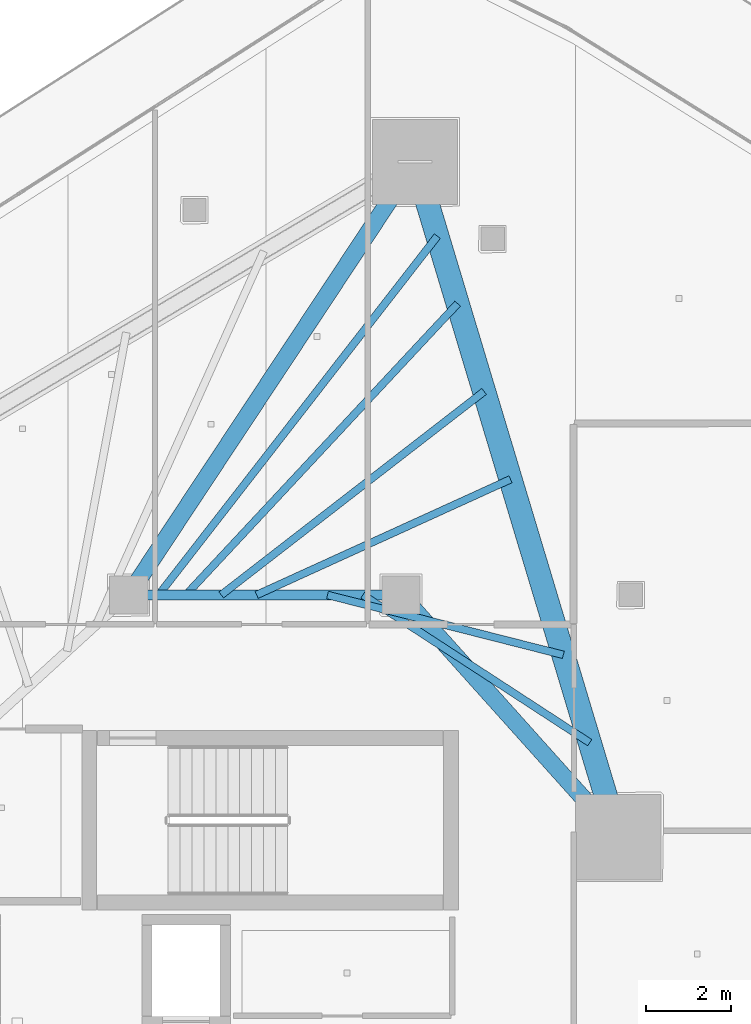
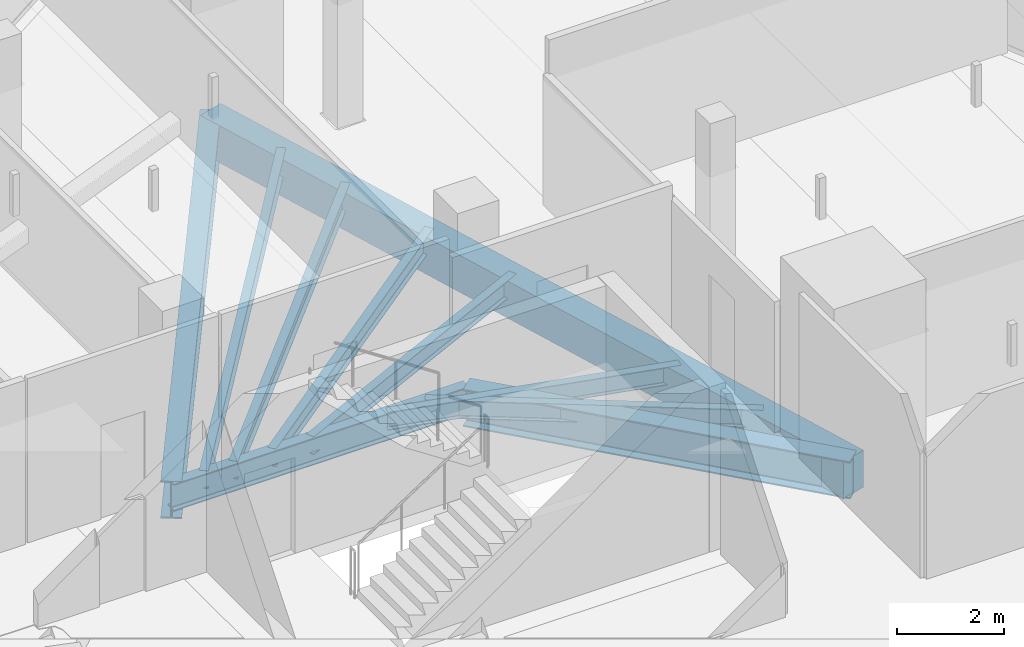
# One storey, part 23 of 43: 10 beams.
"""IFC4 building model written with IfcOpenShell, lengths in metres."""

from ifc_helpers import new_model, si_unit, direction, frame, origin, origin_2d, place, context, subcontext, project, spatial, rectangle, i_section, extrude, material, material_profile, profile_set, type_object, element, save


model = new_model("IFC4")

# Units and contexts
model_context = context("Model", 3, precision=1e-05, world=origin(), true_north=direction((0.0, 1.0)))
body_context = subcontext(model_context, "Body", "Model", "MODEL_VIEW")
ifc_project = project(units=[si_unit("LENGTHUNIT", "METRE"), si_unit("AREAUNIT", "SQUARE_METRE"), si_unit("VOLUMEUNIT", "CUBIC_METRE"), si_unit("PLANEANGLEUNIT", "RADIAN"), si_unit("MASSUNIT", "GRAM", prefix="KILO")], contexts=[model_context])

# Site, building, storey
site_placement = place(None, origin())
site = spatial("IfcSite", under=ifc_project, at=site_placement, CompositionType="ELEMENT")
building_placement = place(site_placement, origin())
building = spatial("IfcBuilding", under=site, at=building_placement, Name="Qorvath Tower", CompositionType="ELEMENT")
storey_placement = place(building_placement, frame((0.0, 0.0, 213.14990234375)))
storey = spatial("IfcBuildingStorey", under=building, at=storey_placement, Name="L49", CompositionType="ELEMENT", Elevation=213.14990234375)

# Beams
ifc_material_1 = material(Name="Steel ASTM A992 Grade 50", Category="steel")
ifc_material_profile_1 = material_profile(ifc_material_1, i_section(OverallWidth=0.39892578125, OverallDepth=0.85498046875, WebThickness=0.018310546875, FlangeThickness=0.029296875, FilletRadius=0.02001953125, at=origin_2d()), Name="W33x201")
ifc_profile_set_1 = profile_set([ifc_material_profile_1], Name="Steel ASTM A992 Grade 50")
beam_type_1 = type_object("IfcBeamType", Name="BM-FG2", PredefinedType="BEAM", material=ifc_profile_set_1)
beam_1_placement = place(storey_placement, frame((-23.60009765625, 11.449951171875, -0.697509765625), z_axis=(0.551500517741, 0.834174549439, 0.0), x_axis=(-0.834174549439, 0.551500517741, 0.0)))
element("IfcBeam", 1, at=beam_1_placement, inside=storey, type_object=beam_type_1, Name="Radial Floor Girder CC1-MC6 L49", PredefinedType="BEAM", context=body_context, shape_type="SweptSolid", body=[
    extrude(i_section(OverallWidth=0.39892578125, OverallDepth=0.85498046875, WebThickness=0.018310546875, FlangeThickness=0.029296875, FilletRadius=0.02001953125, at=origin_2d()), origin(), (0.0, 0.0, 1.0), 12.200439453125),
])
beam_2_placement = place(storey_placement, frame((-17.199951171875, 11.449951171875, -0.697509765625), z_axis=(0.667543184261, -0.744571082669, 0.0), x_axis=(0.744571082669, 0.667543184261, 0.0)))
element("IfcBeam", 2, at=beam_2_placement, inside=storey, type_object=beam_type_1, Name="Radial Floor Girder CC2-MC5 L49", PredefinedType="BEAM", context=body_context, shape_type="SweptSolid", body=[
    extrude(i_section(OverallWidth=0.39892578125, OverallDepth=0.85498046875, WebThickness=0.018310546875, FlangeThickness=0.029296875, FilletRadius=0.02001953125, at=origin_2d()), origin(), (0.0, 0.0, 1.0), 7.644775390625),
])
ifc_material_2 = material(Name="Steel ASTM A992 Grade 50", Category="steel")
ifc_material_profile_2 = material_profile(ifc_material_2, i_section(OverallWidth=0.22998046875, OverallDepth=0.616943359375, WebThickness=0.01318359375, FlangeThickness=0.022216796875, FilletRadius=0.014892578125, at=origin_2d()), Name="W24x94")
ifc_profile_set_2 = profile_set([ifc_material_profile_2], Name="Steel ASTM A992 Grade 50")
beam_type_2 = type_object("IfcBeamType", Name="BM-FG6", PredefinedType="BEAM", material=ifc_profile_set_2)
beam_3_placement = place(storey_placement, frame((-23.60009765625, 11.449951171875, -0.57861328125), z_axis=(1.0, 0.0, 0.0), x_axis=(0.0, 1.0, 0.0)))
element("IfcBeam", 3, at=beam_3_placement, inside=storey, type_object=beam_type_2, Name="Core Ring Girder CC1-CC2 L49", PredefinedType="BEAM", context=body_context, shape_type="SweptSolid", body=[
    extrude(i_section(OverallWidth=0.22998046875, OverallDepth=0.616943359375, WebThickness=0.01318359375, FlangeThickness=0.022216796875, FilletRadius=0.014892578125, at=origin_2d()), origin(), (0.0, 0.0, 1.0), 6.400146484375),
])
ifc_material_3 = material(Name="Steel ASTM A992 Grade 50", Category="steel")
ifc_material_profile_3 = material_profile(ifc_material_3, i_section(OverallWidth=0.177978515625, OverallDepth=0.406005859375, WebThickness=0.0078125, FlangeThickness=0.0126953125, FilletRadius=0.010986328125, at=origin_2d()), Name="W16x40")
ifc_profile_set_3 = profile_set([ifc_material_profile_3], Name="Steel ASTM A992 Grade 50")
beam_type_3 = type_object("IfcBeamType", Name="BM-FJ3", PredefinedType="JOIST", material=ifc_profile_set_3)
beam_4_placement = place(storey_placement, frame((-18.095947265625, 11.449951171875, -0.472900390625), z_axis=(0.838041756057, -0.545606098853, 0.0), x_axis=(0.545606098853, 0.838041756057, 0.0)))
element("IfcBeam", 4, at=beam_4_placement, inside=storey, type_object=beam_type_3, Name="Composite Floor Joist NE1 L49", PredefinedType="JOIST", context=body_context, shape_type="SweptSolid", body=[
    extrude(i_section(OverallWidth=0.177978515625, OverallDepth=0.406005859375, WebThickness=0.0078125, FlangeThickness=0.0126953125, FilletRadius=0.010986328125, at=origin_2d()), origin(), (0.0, 0.0, 1.0), 6.36083984375),
])
beam_5_placement = place(storey_placement, frame((-18.927978515625, 11.449951171875, -0.472900390625), z_axis=(0.969231577698, -0.246150662794, 0.0), x_axis=(0.246150662794, 0.969231577698, 0.0)))
element("IfcBeam", 5, at=beam_5_placement, inside=storey, type_object=beam_type_3, Name="Composite Floor Joist NE2 L49", PredefinedType="JOIST", context=body_context, shape_type="SweptSolid", body=[
    extrude(i_section(OverallWidth=0.177978515625, OverallDepth=0.406005859375, WebThickness=0.0078125, FlangeThickness=0.0126953125, FilletRadius=0.010986328125, at=origin_2d()), origin(), (0.0, 0.0, 1.0), 5.718017578125),
])
beam_6_placement = place(storey_placement, frame((-20.592041015625, 11.449951171875, -0.472900390625), z_axis=(0.909945081179, 0.414728765868, 0.0), x_axis=(-0.414728765868, 0.909945081179, 0.0)))
element("IfcBeam", 6, at=beam_6_placement, inside=storey, type_object=beam_type_3, Name="Composite Floor Joist NE4 L49", PredefinedType="JOIST", context=body_context, shape_type="SweptSolid", body=[
    extrude(i_section(OverallWidth=0.177978515625, OverallDepth=0.406005859375, WebThickness=0.0078125, FlangeThickness=0.0126953125, FilletRadius=0.010986328125, at=origin_2d()), origin(), (0.0, 0.0, 1.0), 6.554931640625),
])
beam_7_placement = place(storey_placement, frame((-21.424072265625, 11.449951171875, -0.472900390625), z_axis=(0.790693445503, 0.612212279555, 0.0), x_axis=(-0.612212279555, 0.790693445503, 0.0)))
element("IfcBeam", 7, at=beam_7_placement, inside=storey, type_object=beam_type_3, Name="Composite Floor Joist NE5 L49", PredefinedType="JOIST", context=body_context, shape_type="SweptSolid", body=[
    extrude(i_section(OverallWidth=0.177978515625, OverallDepth=0.406005859375, WebThickness=0.0078125, FlangeThickness=0.0126953125, FilletRadius=0.010986328125, at=origin_2d()), origin(), (0.0, 0.0, 1.0), 7.810546875),
])
beam_8_placement = place(storey_placement, frame((-22.256103515625, 11.449951171875, -0.472900390625), z_axis=(0.682249490937, 0.731119437654, 0.0), x_axis=(-0.731119437654, 0.682249490937, 0.0)))
element("IfcBeam", 8, at=beam_8_placement, inside=storey, type_object=beam_type_3, Name="Composite Floor Joist NE6 L49", PredefinedType="JOIST", context=body_context, shape_type="SweptSolid", body=[
    extrude(i_section(OverallWidth=0.177978515625, OverallDepth=0.406005859375, WebThickness=0.0078125, FlangeThickness=0.0126953125, FilletRadius=0.010986328125, at=origin_2d()), origin(), (0.0, 0.0, 1.0), 9.362060546875),
])
beam_9_placement = place(storey_placement, frame((-22.89599609375, 11.449951171875, -0.472900390625), z_axis=(0.61345131907, 0.789732536452, 0.0), x_axis=(-0.789732536452, 0.61345131907, 0.0)))
element("IfcBeam", 9, at=beam_9_placement, inside=storey, type_object=beam_type_3, Name="Composite Floor Joist NE7 L49", PredefinedType="JOIST", context=body_context, shape_type="SweptSolid", body=[
    extrude(i_section(OverallWidth=0.177978515625, OverallDepth=0.406005859375, WebThickness=0.0078125, FlangeThickness=0.0126953125, FilletRadius=0.010986328125, at=origin_2d()), origin(), (0.0, 0.0, 1.0), 10.676513671875),
])
ifc_material_4 = material(Name="Concrete C50/60", Category="concrete")
ifc_material_profile_4 = material_profile(ifc_material_4, rectangle(XDim=0.550048828125, YDim=0.85009765625, at=origin_2d()), Name="RCB 850x550")
ifc_profile_set_4 = profile_set([ifc_material_profile_4], Name="Concrete C50/60")
beam_type_4 = type_object("IfcBeamType", Name="BM-RCB2", PredefinedType="SPANDREL", material=ifc_profile_set_4)
beam_10_placement = place(storey_placement, frame((-12.0966796875, 5.7578125, -0.695068359375), z_axis=(-0.28812763802, 0.957592013443, 0.0), x_axis=(-0.957592013443, -0.28812763802, 0.0)))
element("IfcBeam", 10, at=beam_10_placement, inside=storey, type_object=beam_type_4, Name="Perimeter Loggia Frame Beam MC5-MC6 L49", PredefinedType="SPANDREL", context=body_context, shape_type="SweptSolid", body=[
    extrude(rectangle(XDim=0.550048828125, YDim=0.85009765625, at=origin_2d()), origin(), (0.0, 0.0, 1.0), 16.572265625),
])

save(model, "model.ifc")
